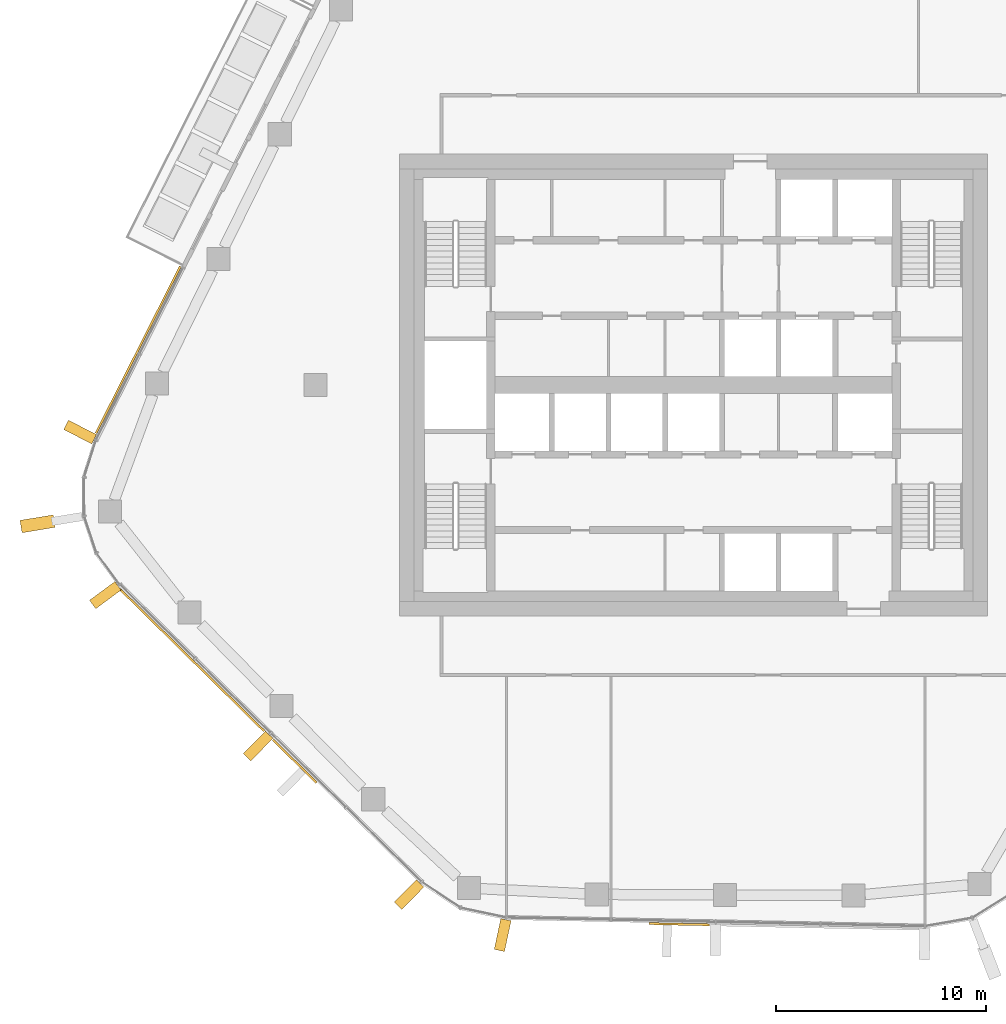
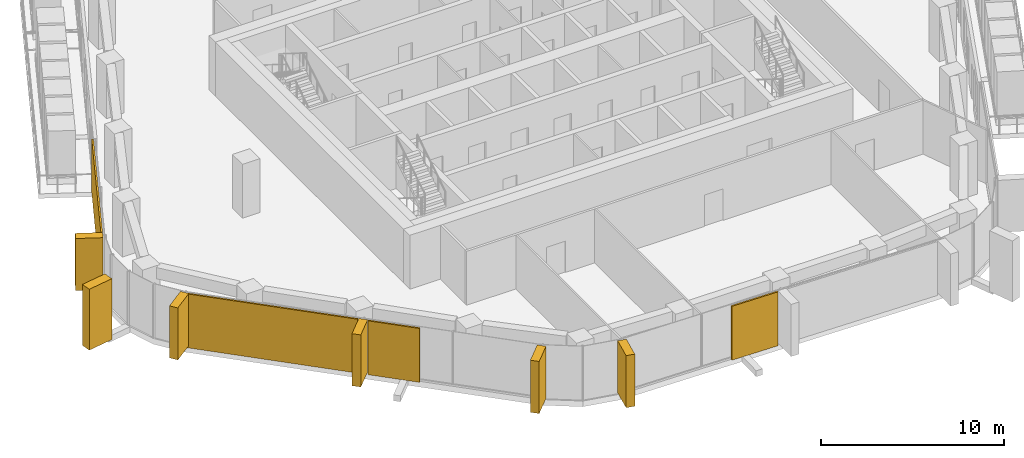
# One storey, part 15 of 21: 10 coverings, 5 elements without a shape of their own.
"""IFC4 building model written with IfcOpenShell, lengths in metres."""

from ifc_helpers import new_model, si_unit, direction, frame, origin, origin_2d, place, context, subcontext, project, spatial, rectangle, extrude, material, layer, layer_set, material_profile, profile_set, type_object, element, aggregate, save


model = new_model("IFC4")

# Units and contexts
model_context = context("Model", 3, precision=1e-05, world=origin(), true_north=direction((0.0, 1.0)))
body_context = subcontext(model_context, "Body", "Model", "MODEL_VIEW")
ifc_project = project(units=[si_unit("LENGTHUNIT", "METRE"), si_unit("AREAUNIT", "SQUARE_METRE"), si_unit("VOLUMEUNIT", "CUBIC_METRE"), si_unit("PLANEANGLEUNIT", "RADIAN"), si_unit("MASSUNIT", "GRAM", prefix="KILO")], contexts=[model_context])

# Site, building, storey
site_placement = place(None, origin())
site = spatial("IfcSite", under=ifc_project, at=site_placement, CompositionType="ELEMENT")
building_placement = place(site_placement, origin())
building = spatial("IfcBuilding", under=site, at=building_placement, Name="Dongbaek Canopy Tower", CompositionType="ELEMENT")
storey_placement = place(building_placement, frame((0.0, 0.0, 279.0)))
storey = spatial("IfcBuildingStorey", under=building, at=storey_placement, Name="L59", CompositionType="ELEMENT", Elevation=279.0)

# Curtain wall, covering
ifc_material_1 = material(Name="Aluminium 6063-T6 pale anodised", Category="aluminium")
ifc_layer_1 = layer(ifc_material_1, 0.199951171875)
ifc_layer_set_1 = layer_set([ifc_layer_1], Name="CW-1 unitised tower curtain wall")
curtain_wall_type = type_object("IfcCurtainWallType", Name="CW-1 unitised tower curtain wall", PredefinedType="NOTDEFINED", material=ifc_layer_set_1)
curtain_wall_1_placement = place(storey_placement, origin())
curtain_wall_1 = element("IfcCurtainWall", 1, at=curtain_wall_1_placement, inside=storey, type_object=curtain_wall_type, Name="CW-1 curtain wall K3.1", PredefinedType="NOTDEFINED")
ifc_material_2 = material(Name="Aluminium 6063-T6 pale metal fin", Category="aluminium")
ifc_material_profile_1 = material_profile(ifc_material_2, rectangle(XDim=1.60009765625, YDim=0.60009765625, at=origin_2d()), Name="Corner fin CN1 600 x 1600 pale metal")
ifc_profile_set_1 = profile_set([ifc_material_profile_1], Name="Aluminium 6063-T6 pale metal fin")
covering_type_1 = type_object("IfcCoveringType", Name="Corner fin CN1 600 x 1600 pale metal", PredefinedType="CLADDING", material=ifc_profile_set_1)
covering_1_placement = place(storey_placement, frame((-31.2294921875, -6.603515625, -0.18994140625), z_axis=(0.0, 0.0, 1.0), x_axis=(-0.986812809795, -0.161865618412, 0.0)))
covering_1 = element("IfcCovering", 2, at=covering_1_placement, type_object=covering_type_1, Name="Corner fin L59 L59 K3", PredefinedType="CLADDING", context=body_context, shape_type="SweptSolid", body=[
    extrude(rectangle(XDim=1.60009765625, YDim=0.60009765625, at=origin_2d()), origin(), (0.0, 0.0, 1.0), 4.06982421875),
])

curtain_wall_2_placement = place(storey_placement, origin())
curtain_wall_2 = element("IfcCurtainWall", 3, at=curtain_wall_2_placement, inside=storey, type_object=curtain_wall_type, Name="CW-1 curtain wall F2.1", PredefinedType="NOTDEFINED")
ifc_material_3 = material(Name="Perforated aluminium 6063-T6 pale metal screen", Category="aluminium")
ifc_layer_2 = layer(ifc_material_3, 0.10009765625)
ifc_layer_set_2 = layer_set([ifc_layer_2], Name="Facet screen FS1 100 pale metal")
covering_type_2 = type_object("IfcCoveringType", Name="Facet screen FS1 100 pale metal", PredefinedType="CLADDING", material=ifc_layer_set_2)
covering_2_placement = place(storey_placement, frame((-26.4404296875, 1.6826171875, 0.0), z_axis=(0.0, 0.0, 1.0), x_axis=(-0.451047338849, -0.892500026957, 0.0)))
covering_2 = element("IfcCovering", 4, at=covering_2_placement, type_object=covering_type_2, Name="Facet screen L59 F2", PredefinedType="CLADDING", context=body_context, shape_type="SweptSolid", body=[
    extrude(rectangle(XDim=8.9052734375, YDim=0.10009765625, at=origin_2d()), origin(), (0.0, 0.0, 1.0), 3.60009765625),
])

# Curtain wall, coverings
curtain_wall_3_placement = place(storey_placement, origin())
curtain_wall_3 = element("IfcCurtainWall", 5, at=curtain_wall_3_placement, inside=storey, type_object=curtain_wall_type, Name="CW-1 curtain wall F3.1", PredefinedType="NOTDEFINED")
covering_3_placement = place(storey_placement, frame((-23.877197265625, -13.090087890625, 0.0), z_axis=(0.0, 0.0, 1.0), x_axis=(0.712531987621, -0.701639627313, 0.0)))
covering_3 = element("IfcCovering", 6, at=covering_3_placement, type_object=covering_type_2, Name="Facet screen L59 F3", PredefinedType="CLADDING", context=body_context, shape_type="SweptSolid", body=[
    extrude(rectangle(XDim=9.641357421875, YDim=0.10009765625, at=origin_2d()), origin(), (0.0, 0.0, 1.0), 3.60009765625),
])
covering_4_placement = place(storey_placement, frame((-18.9873046875, -17.9052734375, 0.0), z_axis=(0.0, 0.0, 1.0), x_axis=(0.712531987621, -0.701639627313, 0.0)))
covering_4 = element("IfcCovering", 7, at=covering_4_placement, type_object=covering_type_2, Name="Facet screen L59 F3", PredefinedType="CLADDING", context=body_context, shape_type="SweptSolid", body=[
    extrude(rectangle(XDim=2.92431640625, YDim=0.10009765625, at=origin_2d()), origin(), (0.0, 0.0, 1.0), 3.60009765625),
])

# Curtain wall, covering
curtain_wall_4_placement = place(storey_placement, origin())
curtain_wall_4 = element("IfcCurtainWall", 8, at=curtain_wall_4_placement, inside=storey, type_object=curtain_wall_type, Name="CW-1 curtain wall F4.1", PredefinedType="NOTDEFINED")
covering_5_placement = place(storey_placement, frame((-0.683349609375, -25.665283203125, 0.0), z_axis=(0.0, 0.0, 1.0), x_axis=(0.999789081443, -0.020537590596, 0.0)))
covering_5 = element("IfcCovering", 9, at=covering_5_placement, type_object=covering_type_2, Name="Facet screen L59 F4", PredefinedType="CLADDING", context=body_context, shape_type="SweptSolid", body=[
    extrude(rectangle(XDim=2.88916015625, YDim=0.10009765625, at=origin_2d()), origin(), (0.0, 0.0, 1.0), 3.60009765625),
])
aggregate(curtain_wall_4, [covering_5])

# Covering
ifc_material_4 = material(Name="Aluminium 6063-T6 pale metal fin", Category="aluminium")
ifc_material_profile_2 = material_profile(ifc_material_4, rectangle(XDim=1.5, YDim=0.5, at=origin_2d()), Name="Fin FN1 500 x 1500 pale metal")
ifc_profile_set_2 = profile_set([ifc_material_profile_2], Name="Aluminium 6063-T6 pale metal fin")
covering_type_3 = type_object("IfcCoveringType", Name="Fin FN1 500 x 1500 pale metal", PredefinedType="CLADDING", material=ifc_profile_set_2)
covering_6_placement = place(storey_placement, frame((-29.2080078125, -2.232666015625, 0.1201171875), z_axis=(0.0, 0.0, 1.0), x_axis=(-0.892500376776, 0.45104664665, 0.0)))
covering_6 = element("IfcCovering", 10, at=covering_6_placement, type_object=covering_type_3, Name="Fin F2.1.3", PredefinedType="CLADDING", context=body_context, shape_type="SweptSolid", body=[
    extrude(rectangle(XDim=1.5, YDim=0.5, at=origin_2d()), origin(), (0.0, 0.0, 1.0), 3.47998046875),
])

aggregate(curtain_wall_2, [covering_6, covering_2])

covering_7_placement = place(storey_placement, frame((-28.005126953125, -9.998291015625, 0.1201171875), z_axis=(0.0, 0.0, 1.0), x_axis=(-0.804792130551, -0.593556759378, 0.0)))
covering_7 = element("IfcCovering", 11, at=covering_7_placement, type_object=covering_type_3, Name="Fin K3.1.5", PredefinedType="CLADDING", context=body_context, shape_type="SweptSolid", body=[
    extrude(rectangle(XDim=1.5, YDim=0.5, at=origin_2d()), origin(), (0.0, 0.0, 1.0), 3.47998046875),
])

aggregate(curtain_wall_1, [covering_7, covering_1])

covering_8_placement = place(storey_placement, frame((-20.7294921875, -17.177490234375, 0.1201171875), z_axis=(0.0, 0.0, 1.0), x_axis=(-0.701639137856, -0.712532469596, 0.0)))
covering_8 = element("IfcCovering", 12, at=covering_8_placement, type_object=covering_type_3, Name="Fin F3.1.3", PredefinedType="CLADDING", context=body_context, shape_type="SweptSolid", body=[
    extrude(rectangle(XDim=1.5, YDim=0.5, at=origin_2d()), origin(), (0.0, 0.0, 1.0), 3.47998046875),
])

covering_9_placement = place(storey_placement, frame((-13.542724609375, -24.25439453125, 0.1201171875), z_axis=(0.0, 0.0, 1.0), x_axis=(-0.701639137856, -0.712532469596, 0.0)))
covering_9 = element("IfcCovering", 13, at=covering_9_placement, type_object=covering_type_3, Name="Fin F3.1.5", PredefinedType="CLADDING", context=body_context, shape_type="SweptSolid", body=[
    extrude(rectangle(XDim=1.5, YDim=0.5, at=origin_2d()), origin(), (0.0, 0.0, 1.0), 3.47998046875),
])

aggregate(curtain_wall_3, [covering_8, covering_9, covering_3, covering_4])

# Curtain wall, covering
curtain_wall_5_placement = place(storey_placement, origin())
curtain_wall_5 = element("IfcCurtainWall", 14, at=curtain_wall_5_placement, inside=storey, type_object=curtain_wall_type, Name="CW-1 curtain wall K4.1", PredefinedType="NOTDEFINED")
covering_10_placement = place(storey_placement, frame((-9.088623046875, -26.181640625, 0.1201171875), z_axis=(0.0, 0.0, 1.0), x_axis=(-0.208291594896, -0.978066772514, 0.0)))
covering_10 = element("IfcCovering", 15, at=covering_10_placement, type_object=covering_type_3, Name="Fin K4.1.3", PredefinedType="CLADDING", context=body_context, shape_type="SweptSolid", body=[
    extrude(rectangle(XDim=1.5, YDim=0.5, at=origin_2d()), origin(), (0.0, 0.0, 1.0), 3.47998046875),
])
aggregate(curtain_wall_5, [covering_10])

save(model, "model.ifc")
